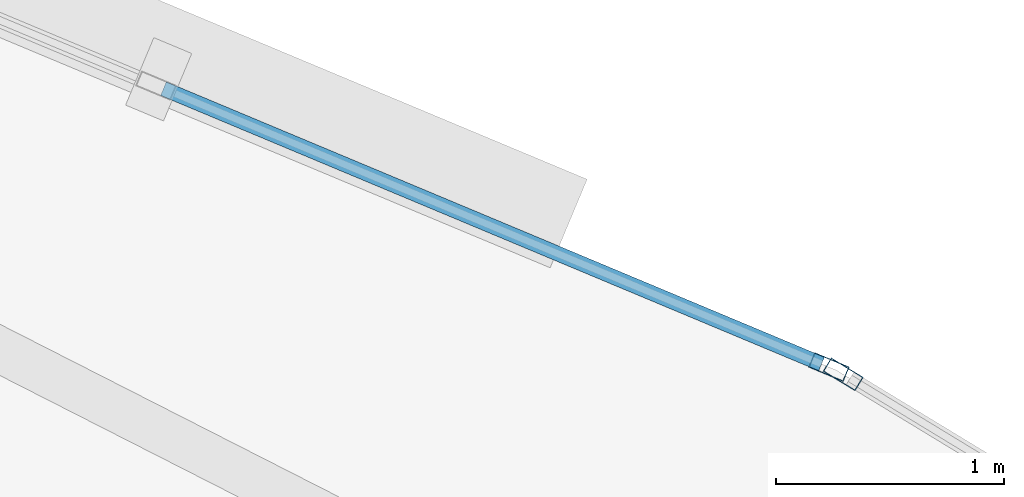
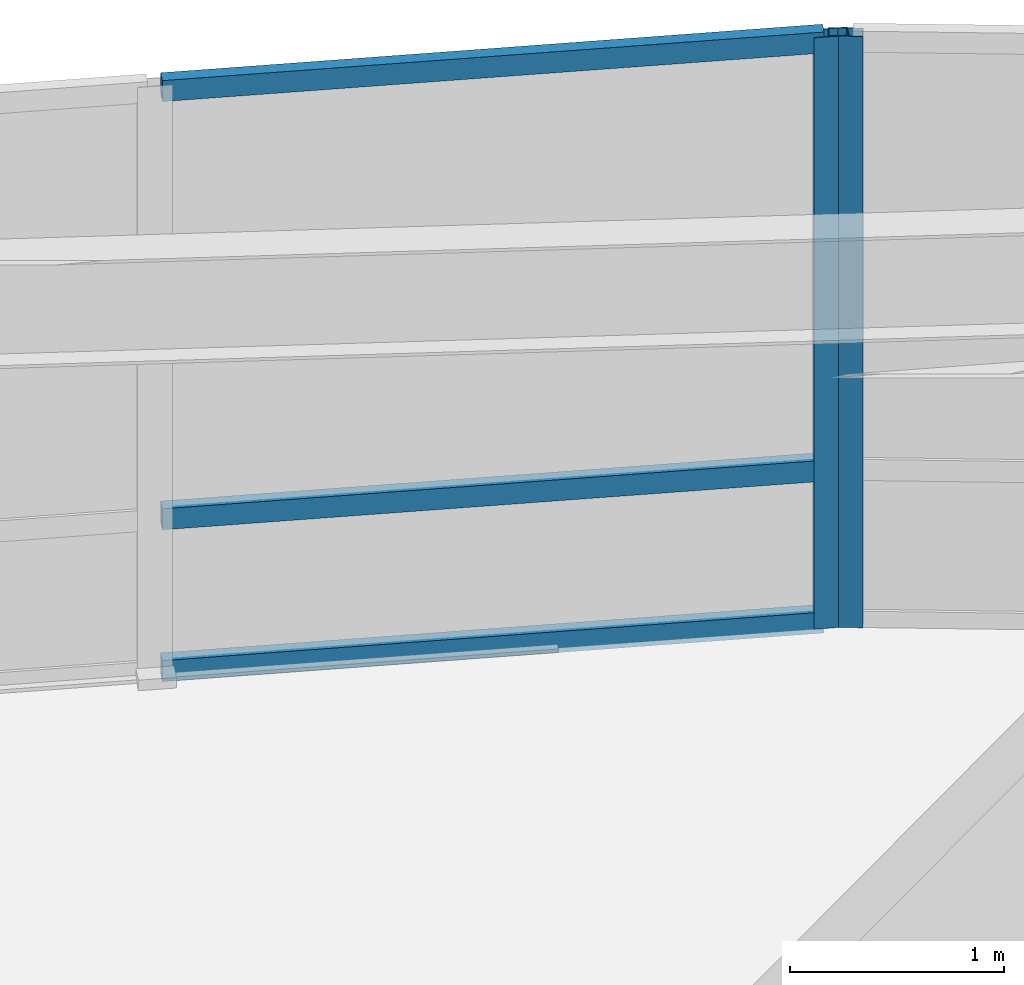
# One storey, part 11 of 16: 5 members, 2 elements without a shape of their own.
"""IFC4 building model written with IfcOpenShell, lengths in metres."""

from ifc_helpers import new_model, si_unit, direction, frame, origin, origin_2d, place, context, subcontext, project, spatial, hollow_rectangle, extrude, material, layer, layer_set, material_profile, profile_set, type_object, element, aggregate, save


model = new_model("IFC4")

# Units and contexts
model_context = context("Model", 3, precision=1e-05, world=origin(), true_north=direction((0.0, 1.0)))
body_context = subcontext(model_context, "Body", "Model", "MODEL_VIEW")
ifc_project = project(units=[si_unit("LENGTHUNIT", "METRE"), si_unit("AREAUNIT", "SQUARE_METRE"), si_unit("VOLUMEUNIT", "CUBIC_METRE"), si_unit("PLANEANGLEUNIT", "RADIAN"), si_unit("MASSUNIT", "GRAM", prefix="KILO")], contexts=[model_context])

# Site, building, storey
site_placement = place(None, origin())
site = spatial("IfcSite", under=ifc_project, at=site_placement, CompositionType="ELEMENT")
building_placement = place(site_placement, origin())
building = spatial("IfcBuilding", under=site, at=building_placement, Name="Menara Vayukalpa", CompositionType="ELEMENT")
storey_placement = place(building_placement, frame((0.0, 0.0, 79.679931640625)))
storey = spatial("IfcBuildingStorey", under=building, at=storey_placement, Name="L19", CompositionType="ELEMENT", Elevation=79.679931640625)

# Curtain wall, member
ifc_material_1 = material(Name="Anodised Terracotta Aluminium Alloy 6063-T6", Category="masonry")
ifc_layer = layer(ifc_material_1, 0.1650390625)
ifc_layer_set = layer_set([ifc_layer], Name="Anodised Terracotta Aluminium Alloy 6063-T6")
curtain_wall_type = type_object("IfcCurtainWallType", Name="CW-CW2", PredefinedType="USERDEFINED", material=ifc_layer_set)
curtain_wall_1_placement = place(storey_placement, origin())
curtain_wall_1 = element("IfcCurtainWall", 1, at=curtain_wall_1_placement, inside=storey, type_object=curtain_wall_type, Name="L19 Low Rise Terracotta Ribbon Curtain Wall CW2 04", ObjectType="UNITISED", PredefinedType="USERDEFINED")
ifc_material_2 = material(Name="Anodised Terracotta Aluminium Alloy 6063-T6", Category="masonry")
ifc_material_profile_1 = material_profile(ifc_material_2, hollow_rectangle(XDim=0.070068359375, YDim=0.1650390625, WallThickness=0.00390625, at=origin_2d()), Name="ALU 70x165x4")
ifc_profile_set_1 = profile_set([ifc_material_profile_1], Name="Anodised Terracotta Aluminium Alloy 6063-T6")
member_type_1 = type_object("IfcMemberType", Name="CWM-CW2", PredefinedType="MULLION", material=ifc_profile_set_1)
member_1_placement = place(storey_placement, frame((29.895751953125, 31.93701171875, 0.0), z_axis=(0.0, 0.0, 1.0), x_axis=(-0.519182959112, -0.854663123674, 0.0)))
member_1 = element("IfcMember", 2, at=member_1_placement, type_object=member_type_1, Name="CW2 mullion 3", PredefinedType="MULLION", context=body_context, shape_type="SweptSolid", body=[
    extrude(hollow_rectangle(XDim=0.070068359375, YDim=0.1650390625, WallThickness=0.00390625, at=origin_2d()), origin(), (0.0, 0.0, 1.0), 3.380126953125),
])
aggregate(curtain_wall_1, [member_1])

# Curtain wall, members
curtain_wall_2_placement = place(storey_placement, origin())
curtain_wall_2 = element("IfcCurtainWall", 3, at=curtain_wall_2_placement, inside=storey, type_object=curtain_wall_type, Name="L19 Low Rise Terracotta Ribbon Curtain Wall CW2 05", ObjectType="UNITISED", PredefinedType="USERDEFINED")
member_2_placement = place(storey_placement, frame((29.83349609375, 31.96875, 0.0), z_axis=(0.0, 0.0, 1.0), x_axis=(-0.38589358437, -0.922543300632, 0.0)))
member_2 = element("IfcMember", 4, at=member_2_placement, type_object=member_type_1, Name="CW2 mullion 1", PredefinedType="MULLION", context=body_context, shape_type="SweptSolid", body=[
    extrude(hollow_rectangle(XDim=0.070068359375, YDim=0.1650390625, WallThickness=0.00390625, at=origin_2d()), origin(), (0.0, 0.0, 1.0), 3.380126953125),
])
ifc_material_3 = material(Name="Anodised Terracotta Aluminium Alloy 6063-T6", Category="masonry")
ifc_material_profile_2 = material_profile(ifc_material_3, hollow_rectangle(XDim=0.06494140625, YDim=0.1201171875, WallThickness=0.00341796875, at=origin_2d()), Name="ALU 65x120x3.5")
ifc_profile_set_2 = profile_set([ifc_material_profile_2], Name="Anodised Terracotta Aluminium Alloy 6063-T6")
member_type_2 = type_object("IfcMemberType", Name="CWT-CW2", PredefinedType="USERDEFINED", material=ifc_profile_set_2)
member_3_placement = place(storey_placement, frame((29.80126953125, 31.982177734375, 0.032470703125), z_axis=(-0.922525759021, 0.385935517856, 0.0), x_axis=(-0.385935517856, -0.922525759021, 0.0)))
member_3 = element("IfcMember", 5, at=member_3_placement, type_object=member_type_2, Name="CW2 transom 1.1", ObjectType="TRANSOM", PredefinedType="USERDEFINED", context=body_context, shape_type="SweptSolid", body=[
    extrude(hollow_rectangle(XDim=0.06494140625, YDim=0.1201171875, WallThickness=0.00341796875, at=origin_2d()), origin(), (0.0, 0.0, 1.0), 3.124267578125),
])
member_4_placement = place(storey_placement, frame((29.80126953125, 31.982177734375, 0.900146484375), z_axis=(-0.922525759021, 0.385935517856, 0.0), x_axis=(-0.385935517856, -0.922525759021, 0.0)))
member_4 = element("IfcMember", 6, at=member_4_placement, type_object=member_type_2, Name="CW2 transom 1.2", ObjectType="TRANSOM", PredefinedType="USERDEFINED", context=body_context, shape_type="SweptSolid", body=[
    extrude(hollow_rectangle(XDim=0.06494140625, YDim=0.1201171875, WallThickness=0.00341796875, at=origin_2d()), origin(), (0.0, 0.0, 1.0), 3.124267578125),
])
member_5_placement = place(storey_placement, frame((29.80126953125, 31.982177734375, 3.34765625), z_axis=(-0.922525759021, 0.385935517856, 0.0), x_axis=(-0.385935517856, -0.922525759021, 0.0)))
member_5 = element("IfcMember", 7, at=member_5_placement, type_object=member_type_2, Name="CW2 transom 1.3", ObjectType="TRANSOM", PredefinedType="USERDEFINED", context=body_context, shape_type="SweptSolid", body=[
    extrude(hollow_rectangle(XDim=0.06494140625, YDim=0.1201171875, WallThickness=0.00341796875, at=origin_2d()), origin(), (0.0, 0.0, 1.0), 3.124267578125),
])
aggregate(curtain_wall_2, [member_2, member_3, member_4, member_5])

save(model, "model.ifc")
